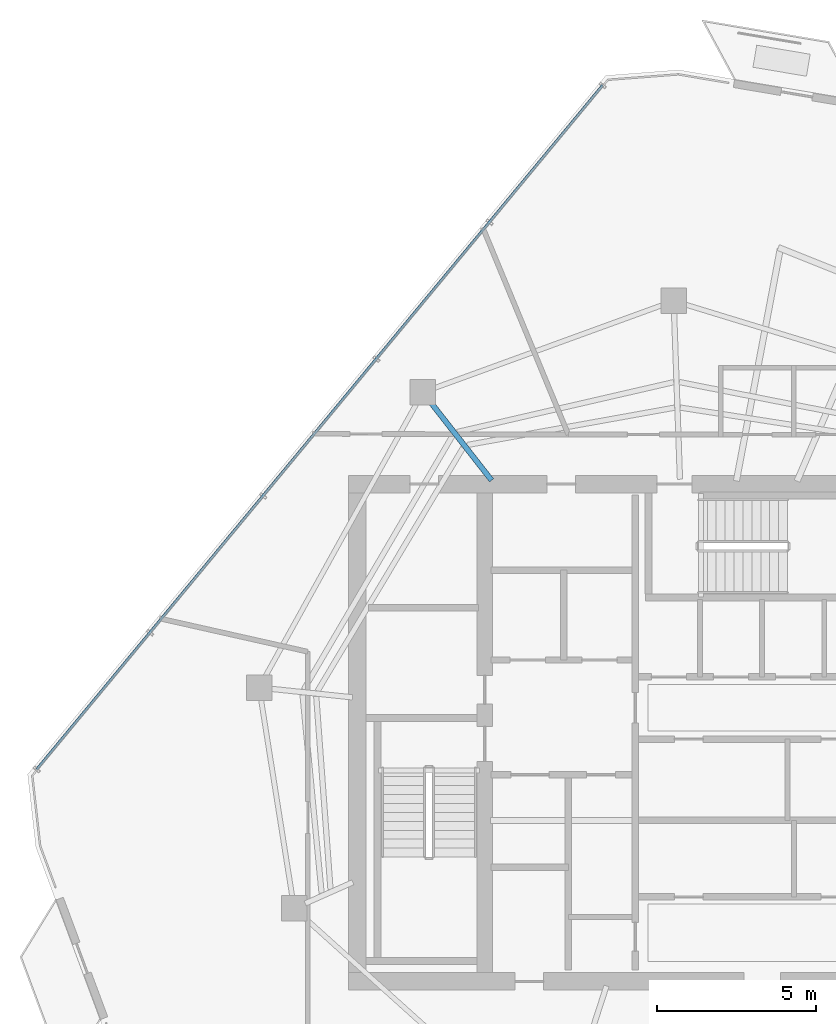
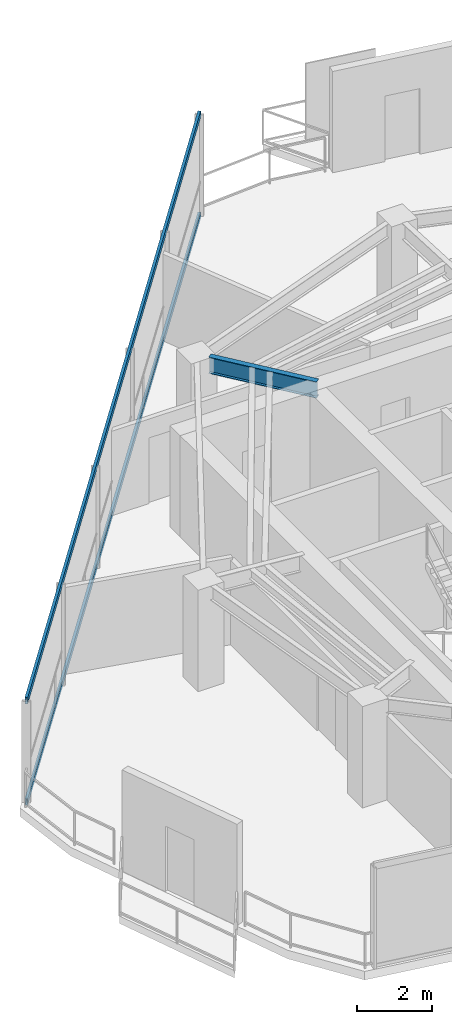
# One storey, part 7 of 19: 2 members, 1 beam, 1 element without a shape of its own.
"""IFC4 building model written with IfcOpenShell, lengths in metres."""

from ifc_helpers import new_model, si_unit, direction, frame, origin, origin_2d, place, context, subcontext, project, spatial, hollow_rectangle, i_section, extrude, material, layer, layer_set, material_profile, profile_set, type_object, element, aggregate, save


model = new_model("IFC4")

# Units and contexts
model_context = context("Model", 3, precision=1e-05, world=origin(), true_north=direction((0.0, 1.0)))
body_context = subcontext(model_context, "Body", "Model", "MODEL_VIEW")
ifc_project = project(units=[si_unit("LENGTHUNIT", "METRE"), si_unit("AREAUNIT", "SQUARE_METRE"), si_unit("VOLUMEUNIT", "CUBIC_METRE"), si_unit("PLANEANGLEUNIT", "RADIAN"), si_unit("MASSUNIT", "GRAM", prefix="KILO")], contexts=[model_context])

# Site, building, storey
site_placement = place(None, origin())
site = spatial("IfcSite", under=ifc_project, at=site_placement, CompositionType="ELEMENT")
building_placement = place(site_placement, origin())
building = spatial("IfcBuilding", under=site, at=building_placement, Name="Qarnah Convention Tower", CompositionType="ELEMENT")
storey_placement = place(building_placement, frame((0.0, 0.0, 257.10009765625)))
storey = spatial("IfcBuildingStorey", under=building, at=storey_placement, Name="L69", CompositionType="ELEMENT", Elevation=257.10009765625)

# Beam
ifc_material_1 = material(Name="Structural steel S355JR", Category="steel")
ifc_material_profile_1 = material_profile(ifc_material_1, i_section(OverallWidth=0.166015625, OverallDepth=0.535888671875, WebThickness=0.010009765625, FlangeThickness=0.01708984375, at=origin_2d()), Name="W530X85")
ifc_profile_set_1 = profile_set([ifc_material_profile_1], Name="Structural steel S355JR")
beam_type = type_object("IfcBeamType", Name="BM-RAD-W530B", PredefinedType="BEAM", material=ifc_profile_set_1)
beam_placement = place(storey_placement, frame((31.013916015625, 34.318115234375, 3.052001953125), z_axis=(-0.61549837076, 0.78813815768, 0.0), x_axis=(-0.78813815768, -0.61549837076, 0.0)))
element("IfcBeam", 1, at=beam_placement, inside=storey, type_object=beam_type, Name="L69 beam BM-L69-RAD-04", PredefinedType="BEAM", context=body_context, shape_type="SweptSolid", body=[
    extrude(i_section(OverallWidth=0.166015625, OverallDepth=0.535888671875, WebThickness=0.010009765625, FlangeThickness=0.01708984375, at=origin_2d()), origin(), (0.0, 0.0, 1.0), 3.12255859375),
])

# Curtain wall, members
ifc_material_2 = material(Name="Tempered Low-E dark glass", Category="glass")
ifc_layer = layer(ifc_material_2, 0.176025390625)
ifc_layer_set = layer_set([ifc_layer], Name="Tempered Low-E dark glass")
curtain_wall_type = type_object("IfcCurtainWallType", Name="CWS-05", PredefinedType="NOTDEFINED", material=ifc_layer_set)
curtain_wall_placement = place(storey_placement, origin())
curtain_wall = element("IfcCurtainWall", 2, at=curtain_wall_placement, inside=storey, type_object=curtain_wall_type, Name="L69 unitised curtain wall CW-L69-F3", PredefinedType="NOTDEFINED")
ifc_material_3 = material(Name="Black anodised aluminium", Category="aluminium")
ifc_material_profile_2 = material_profile(ifc_material_3, hollow_rectangle(XDim=0.080078125, YDim=0.2099609375, WallThickness=0.0048828125, at=origin_2d()), Name="TRN-80X210")
ifc_profile_set_2 = profile_set([ifc_material_profile_2], Name="Black anodised aluminium")
member_type = type_object("IfcMemberType", Name="TRN-T5", PredefinedType="USERDEFINED", material=ifc_profile_set_2)
member_1_placement = place(storey_placement, frame((16.74609375, 25.2490234375, 0.0), z_axis=(0.637431349676, 0.770507154056, 0.0), x_axis=(-0.770507154056, 0.637431349676, 0.0)))
member_1 = element("IfcMember", 3, at=member_1_placement, type_object=member_type, Name="CW-L69-F3 transom 1", ObjectType="TRANSOM", PredefinedType="USERDEFINED", context=body_context, shape_type="SweptSolid", body=[
    extrude(hollow_rectangle(XDim=0.080078125, YDim=0.2099609375, WallThickness=0.0048828125, at=origin_2d()), origin(), (0.0, 0.0, 1.0), 27.84912109375),
])
member_2_placement = place(storey_placement, frame((16.74609375, 25.2490234375, 3.31982421875), z_axis=(0.637431349676, 0.770507154056, 0.0), x_axis=(-0.770507154056, 0.637431349676, 0.0)))
member_2 = element("IfcMember", 4, at=member_2_placement, type_object=member_type, Name="CW-L69-F3 transom 2", ObjectType="TRANSOM", PredefinedType="USERDEFINED", context=body_context, shape_type="SweptSolid", body=[
    extrude(hollow_rectangle(XDim=0.080078125, YDim=0.2099609375, WallThickness=0.0048828125, at=origin_2d()), origin(), (0.0, 0.0, 1.0), 27.84912109375),
])
aggregate(curtain_wall, [member_1, member_2])

save(model, "model.ifc")
